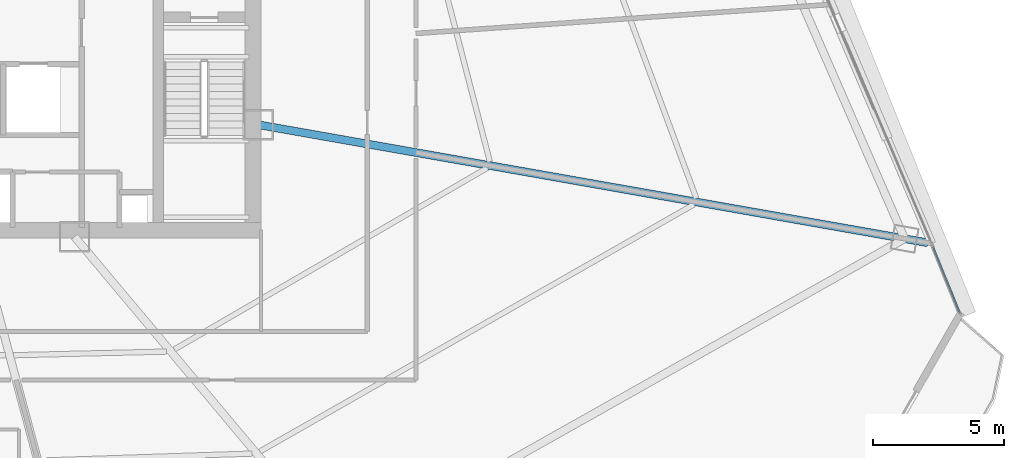
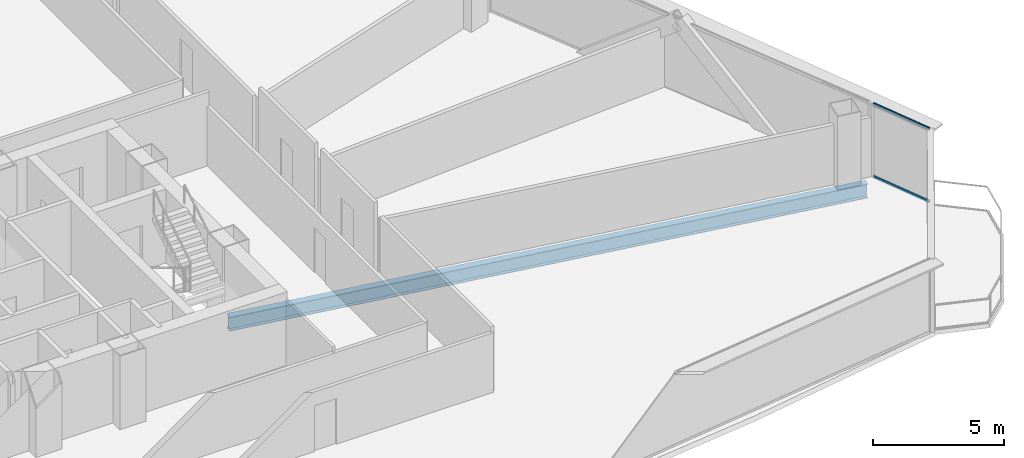
# One storey, part 25 of 39: 2 members, 1 beam, 1 element without a shape of its own.
"""IFC4 building model written with IfcOpenShell, lengths in metres."""

import ifcopenshell
import ifcopenshell.guid

model = None  # the IFC model being written
_history = None  # IfcOwnerHistory: only IFC2X3 demands one
_inside = {}  # id of a spatial element -> (the spatial element, [elements in it])
_under = {}  # id of a project, library or spatial element -> (it, [spatial elements below it])
_declared = {}  # id of a project -> (the project, [libraries it declares])
_typed = {}  # id of a type object -> (the type object, [elements of that type])
_made_of = {}  # id of a material, layer set ... -> (it, [elements and type objects made of it])


def new_model(schema):
    """Start an empty IFC model of exactly this schema.

    Asked for "IFC4X3", IfcOpenShell would pick the latest addendum, in which some entities
    have other attributes; the version numbers below select the first issue.
    IFC2X3 requires an IfcOwnerHistory on every rooted entity: one is made here for all.
    """
    global model, _history
    if schema == "IFC4X3":
        model = ifcopenshell.file(schema_version=(4, 3, 0, 0))
    else:
        model = ifcopenshell.file(schema=schema)
    _inside.clear()
    _under.clear()
    _declared.clear()
    _typed.clear()
    _made_of.clear()
    _history = None
    if model.schema == "IFC2X3":
        org = make("IfcOrganization", Name="unknown")
        user = make(
            "IfcPersonAndOrganization",
            ThePerson=make("IfcPerson", FamilyName="unknown"),
            TheOrganization=org,
        )
        app = make(
            "IfcApplication",
            ApplicationDeveloper=org,
            Version="unknown",
            ApplicationFullName="unknown",
            ApplicationIdentifier="unknown",
        )
        _history = make(
            "IfcOwnerHistory",
            OwningUser=user,
            OwningApplication=app,
            ChangeAction="ADDED",
            CreationDate=0,
        )
    return model


def make(cls, **values):
    """One entity of the class cls with the attributes given. An attribute that is None is left unset."""
    return model.create_entity(
        cls, **{name: value for name, value in values.items() if value is not None}
    )


def rooted(cls, **values):
    """An entity with a GlobalId (a new one), such as an element, a storey or a relation."""
    return make(cls, GlobalId=ifcopenshell.guid.new(), OwnerHistory=_history, **values)


def si_unit(unit_type, name, prefix=None):
    """IfcSIUnit, for example si_unit("LENGTHUNIT", "METRE", prefix="MILLI")."""
    return make("IfcSIUnit", UnitType=unit_type, Prefix=prefix, Name=name)


def assignment(units):
    """IfcUnitAssignment: the units of a project."""
    return None if units is None else make("IfcUnitAssignment", Units=units)


def point(xyz):
    """IfcCartesianPoint."""
    return None if xyz is None else make("IfcCartesianPoint", Coordinates=xyz)


def direction(xyz):
    """IfcDirection."""
    return None if xyz is None else make("IfcDirection", DirectionRatios=xyz)


def frame(location, z_axis=None, x_axis=None):
    """IfcAxis2Placement3D, a coordinate frame: its origin and axes. An axis left out is left unset."""
    return make(
        "IfcAxis2Placement3D",
        Location=point(location),
        Axis=direction(z_axis),
        RefDirection=direction(x_axis),
    )


def frame_2d(location, x_axis=None):
    """IfcAxis2Placement2D, a coordinate frame in the plane: its origin and x axis."""
    return make(
        "IfcAxis2Placement2D", Location=point(location), RefDirection=direction(x_axis)
    )


def origin():
    """The frame at (0, 0, 0) with its axes left unset."""
    return frame((0.0, 0.0, 0.0))


def origin_2d():
    """The frame at (0, 0) in the plane with its x axis left unset."""
    return frame_2d((0.0, 0.0))


def place(relative_to, where):
    """IfcLocalPlacement: puts the frame where relative to a parent placement (None: the world)."""
    return make(
        "IfcLocalPlacement", PlacementRelTo=relative_to, RelativePlacement=where
    )


def context(
    kind, dimensions, precision=None, world=None, true_north=None, identifier=None
):
    """IfcGeometricRepresentationContext, for example the 3D "Model" context."""
    return make(
        "IfcGeometricRepresentationContext",
        ContextIdentifier=identifier,
        ContextType=kind,
        CoordinateSpaceDimension=dimensions,
        Precision=precision,
        WorldCoordinateSystem=world,
        TrueNorth=true_north,
    )


def subcontext(parent, identifier, kind, view, scale=None):
    """IfcGeometricRepresentationSubContext, for example "Body" below "Model"."""
    return make(
        "IfcGeometricRepresentationSubContext",
        ContextIdentifier=identifier,
        ContextType=kind,
        ParentContext=parent,
        TargetScale=scale,
        TargetView=view,
    )


def project(units=None, contexts=None):
    """IfcProject with its units and contexts."""
    return rooted(
        "IfcProject",
        Name="project",
        RepresentationContexts=contexts,
        UnitsInContext=assignment(units),
    )


def spatial(cls, under=None, at=None, **own):
    """A site, building, storey or space (cls), placed at a placement, below another one or the project."""
    s = rooted(cls, ObjectPlacement=at, **own)
    if under is not None:
        _under.setdefault(under.id(), (under, []))[1].append(s)
    return s


def profile(cls, at=None, kind="AREA", **sizes):
    """A parametric profile (cls). Its sizes go by their IFC names, for example OverallWidth=200.0."""
    return make(cls, ProfileType=kind, Position=at, **sizes)


def hollow_rectangle(**sizes):
    """IfcRectangleHollowProfileDef."""
    return profile("IfcRectangleHollowProfileDef", **sizes)


def i_section(**sizes):
    """IfcIShapeProfileDef."""
    return profile("IfcIShapeProfileDef", **sizes)


def extrude(swept, where, along, depth):
    """IfcExtrudedAreaSolid: the profile swept, set in the frame where, extruded along a direction by depth."""
    return make(
        "IfcExtrudedAreaSolid",
        SweptArea=swept,
        Position=where,
        ExtrudedDirection=direction(along),
        Depth=depth,
    )


def shape(context_of_items, identifier, shape_type, items):
    """IfcShapeRepresentation: the items that make up one representation, for example the "Body"."""
    return make(
        "IfcShapeRepresentation",
        ContextOfItems=context_of_items,
        RepresentationIdentifier=identifier,
        RepresentationType=shape_type,
        Items=items,
    )


def source(mapping_origin, context_of_items, identifier, shape_type, items):
    """IfcRepresentationMap: a shape defined once, which mapped items show again and again."""
    return make(
        "IfcRepresentationMap",
        MappingOrigin=mapping_origin,
        MappedRepresentation=shape(context_of_items, identifier, shape_type, items),
    )


def transform(
    local_origin,
    x_axis=None,
    y_axis=None,
    z_axis=None,
    scale=None,
    scale2=None,
    scale3=None,
    uniform=True,
):
    """IfcCartesianTransformationOperator3D, or its non-uniform kind. x_axis, y_axis, z_axis: its Axis1, 2, 3."""
    if uniform:
        return make(
            "IfcCartesianTransformationOperator3D",
            Axis1=direction(x_axis),
            Axis2=direction(y_axis),
            LocalOrigin=point(local_origin),
            Scale=scale,
            Axis3=direction(z_axis),
        )
    return make(
        "IfcCartesianTransformationOperator3DnonUniform",
        Axis1=direction(x_axis),
        Axis2=direction(y_axis),
        LocalOrigin=point(local_origin),
        Scale=scale,
        Axis3=direction(z_axis),
        Scale2=scale2,
        Scale3=scale3,
    )


def mapped(mapping_source, mapping_target):
    """IfcMappedItem: shows the shape of a source again, moved by a transform."""
    return make(
        "IfcMappedItem", MappingSource=mapping_source, MappingTarget=mapping_target
    )


def material(Name=None, Category=None):
    """IfcMaterial."""
    return make("IfcMaterial", Name=Name, Category=Category)


def layer(
    of_material, thickness, ventilated=None, Name=None, Category=None, Priority=None
):
    """IfcMaterialLayer: one layer of a wall or slab, of a material (None: an air gap)."""
    return make(
        "IfcMaterialLayer",
        Material=of_material,
        LayerThickness=thickness,
        IsVentilated=ventilated,
        Name=Name,
        Category=Category,
        Priority=Priority,
    )


def layer_set(layers, Name=None):
    """IfcMaterialLayerSet."""
    return make("IfcMaterialLayerSet", MaterialLayers=layers, LayerSetName=Name)


def material_profile(
    of_material, cross_section, Name=None, Category=None, Priority=None
):
    """IfcMaterialProfile: a cross section and its material."""
    return make(
        "IfcMaterialProfile",
        Name=Name,
        Material=of_material,
        Profile=cross_section,
        Priority=Priority,
        Category=Category,
    )


def profile_set(profiles, Name=None, composite=None):
    """IfcMaterialProfileSet."""
    return make(
        "IfcMaterialProfileSet",
        Name=Name,
        MaterialProfiles=profiles,
        CompositeProfile=composite,
    )


def made_of(thing, what):
    """Note that an element or type object is made of a material, layer set ...; save() writes the relation."""
    if what is not None:
        _made_of.setdefault(what.id(), (what, []))[1].append(thing)
    return thing


def type_object(cls, material=None, **own):
    """A type object (cls), such as IfcWallType, which elements share."""
    return made_of(rooted(cls, **own), material)


def element(
    cls,
    number,
    at=None,
    inside=None,
    cuts=None,
    type_object=None,
    material=None,
    context=None,
    identifier="Body",
    shape_type=None,
    held_by="IfcProductDefinitionShape",
    body=None,
    shapes=None,
    **own,
):
    """One element of the class cls, such as IfcWall. Its Tag is "e" and its number.

    at: its placement. inside: the storey or other place that contains it. cuts: it is an
    opening in that element (IfcRelVoidsElement). A single representation is given by context,
    identifier, shape_type and body (its items); several are given by shapes. held_by: the class
    of the entity that holds the representations. save() writes the other relations.
    """
    e = rooted(cls, Tag="e%d" % number, ObjectPlacement=at, **own)
    if body is not None:
        shapes = [shape(context, identifier, shape_type, body)]
    if shapes is not None:
        e.Representation = make(held_by, Representations=shapes)
    if inside is not None:
        _inside.setdefault(inside.id(), (inside, []))[1].append(e)
    if cuts is not None:
        rooted(
            "IfcRelVoidsElement", RelatingBuildingElement=cuts, RelatedOpeningElement=e
        )
    if type_object is not None:
        _typed.setdefault(type_object.id(), (type_object, []))[1].append(e)
    return made_of(e, material)


def aggregate(whole, parts):
    """IfcRelAggregates: a whole, such as a stair, and the parts it consists of."""
    return rooted("IfcRelAggregates", RelatingObject=whole, RelatedObjects=parts)


def save(model, path):
    """Write the relations noted so far, then the file.

    IfcRelAggregates (storeys below a building ...), IfcRelContainedInSpatialStructure (elements
    in a storey), IfcRelDefinesByType, IfcRelAssociatesMaterial and IfcRelDeclares: one each for
    every whole, place, type object, material and project.
    """
    for whole, parts in _under.values():
        aggregate(whole, parts)
    for where, things in _inside.values():
        rooted(
            "IfcRelContainedInSpatialStructure",
            RelatedElements=things,
            RelatingStructure=where,
        )
    for kind, things in _typed.values():
        rooted("IfcRelDefinesByType", RelatedObjects=things, RelatingType=kind)
    for what, things in _made_of.values():
        rooted("IfcRelAssociatesMaterial", RelatedObjects=things, RelatingMaterial=what)
    for by, libraries in _declared.values():
        rooted("IfcRelDeclares", RelatingContext=by, RelatedDefinitions=libraries)
    model.write(path)


model = new_model("IFC4")

# Units and contexts
model_context = context("Model", 3, precision=1e-05, world=origin(), true_north=direction((0.0, 1.0)))
body_context = subcontext(model_context, "Body", "Model", "MODEL_VIEW")
ifc_project = project(units=[si_unit("LENGTHUNIT", "METRE"), si_unit("AREAUNIT", "SQUARE_METRE"), si_unit("VOLUMEUNIT", "CUBIC_METRE"), si_unit("PLANEANGLEUNIT", "RADIAN"), si_unit("MASSUNIT", "GRAM", prefix="KILO"), si_unit("THERMODYNAMICTEMPERATUREUNIT", "KELVIN"), si_unit("POWERUNIT", "WATT")], contexts=[model_context])

# Site, building, storey
site_placement = place(None, origin())
site = spatial("IfcSite", under=ifc_project, at=site_placement, CompositionType="ELEMENT")
building_placement = place(site_placement, origin())
building = spatial("IfcBuilding", under=site, at=building_placement, Name="Yunzhuo Pagoda Commons", CompositionType="ELEMENT")
storey_placement = place(building_placement, frame((0.0, 0.0, 162.949951171875)))
storey = spatial("IfcBuildingStorey", under=building, at=storey_placement, Name="L41", CompositionType="ELEMENT", Elevation=162.949951171875)

# Beam
ifc_material_1 = material(Name="Structural steel Q355B", Category="steel")
ifc_material_profile_1 = material_profile(ifc_material_1, i_section(OverallWidth=0.300048828125, OverallDepth=0.64990234375, WebThickness=0.012939453125, FlangeThickness=0.02197265625, at=origin_2d()), Name="Structural steel Q355B")
ifc_profile_set_1 = profile_set([ifc_material_profile_1], Name="Structural steel Q355B")
beam_type = type_object("IfcBeamType", Name="B-RG2 Beam HN 650x300x13x22", PredefinedType="BEAM", material=ifc_profile_set_1)
shared_shape_1 = source(origin(), body_context, "Body", "SweptSolid", [
    extrude(i_section(OverallWidth=0.300048828125, OverallDepth=0.64990234375, WebThickness=0.012939453125, FlangeThickness=0.02197265625, at=origin_2d()), origin(), (0.0, 0.0, 1.0), 25.87158203125),
])
beam_placement = place(storey_placement, frame((85.87841796875, 27.02099609375, -0.5849609375), z_axis=(-0.98480853359, 0.173643750734, 0.0), x_axis=(-0.173643750734, -0.98480853359, 0.0)))
element("IfcBeam", 1, at=beam_placement, inside=storey, type_object=beam_type, Name="L41 radial floor girder F2C1", PredefinedType="BEAM", context=body_context, shape_type="MappedRepresentation", body=[
    mapped(shared_shape_1, transform((0.0, 0.0, 0.0), scale=1.0)),
])

# Curtain wall, members
ifc_material_2 = material(Name="Anodized aluminium 6063-T6", Category="aluminium")
ifc_layer = layer(ifc_material_2, 0.14990234375)
ifc_layer_set = layer_set([ifc_layer], Name="Anodized aluminium 6063-T6")
curtain_wall_type = type_object("IfcCurtainWallType", Name="CW-MID Mid-Zone Ribbon Curtain Wall", PredefinedType="NOTDEFINED", material=ifc_layer_set)
curtain_wall_placement = place(storey_placement, origin())
curtain_wall = element("IfcCurtainWall", 2, at=curtain_wall_placement, inside=storey, type_object=curtain_wall_type, Name="L41 curtain wall CW-L41-F2B1", PredefinedType="NOTDEFINED")
ifc_material_profile_2 = material_profile(ifc_material_2, hollow_rectangle(XDim=0.054931640625, YDim=0.1298828125, WallThickness=0.00341796875, at=origin_2d()), Name="Anodized aluminium 6063-T6")
ifc_profile_set_2 = profile_set([ifc_material_profile_2], Name="Anodized aluminium 6063-T6")
member_type = type_object("IfcMemberType", Name="CW-MID-T Transom RHS 130x55x3.5", PredefinedType="USERDEFINED", material=ifc_profile_set_2)
shared_shape_2 = source(origin(), body_context, "Body", "SweptSolid", [
    extrude(hollow_rectangle(XDim=0.054931640625, YDim=0.1298828125, WallThickness=0.00341796875, at=origin_2d()), origin(), (0.0, 0.0, 1.0), 2.6962890625),
])
member_1_placement = place(storey_placement, frame((87.093994140625, 24.369873046875, 0.027587890625), z_axis=(-0.375305747768, 0.926901071146, 0.0), x_axis=(-0.926901071146, -0.375305747768, 0.0)))
member_1 = element("IfcMember", 3, at=member_1_placement, type_object=member_type, Name="CW transom 1.1", ObjectType="TRANSOM", PredefinedType="USERDEFINED", context=body_context, shape_type="MappedRepresentation", body=[
    mapped(shared_shape_2, transform((0.0, 0.0, 0.0), scale=1.0)),
])
member_2_placement = place(storey_placement, frame((87.093994140625, 24.369873046875, 3.392578125), z_axis=(-0.375305747768, 0.926901071146, 0.0), x_axis=(-0.926901071146, -0.375305747768, 0.0)))
member_2 = element("IfcMember", 4, at=member_2_placement, type_object=member_type, Name="CW transom 1.2", ObjectType="TRANSOM", PredefinedType="USERDEFINED", context=body_context, shape_type="MappedRepresentation", body=[
    mapped(shared_shape_2, transform((0.0, 0.0, 0.0), scale=1.0)),
])
aggregate(curtain_wall, [member_1, member_2])

save(model, "model.ifc")
